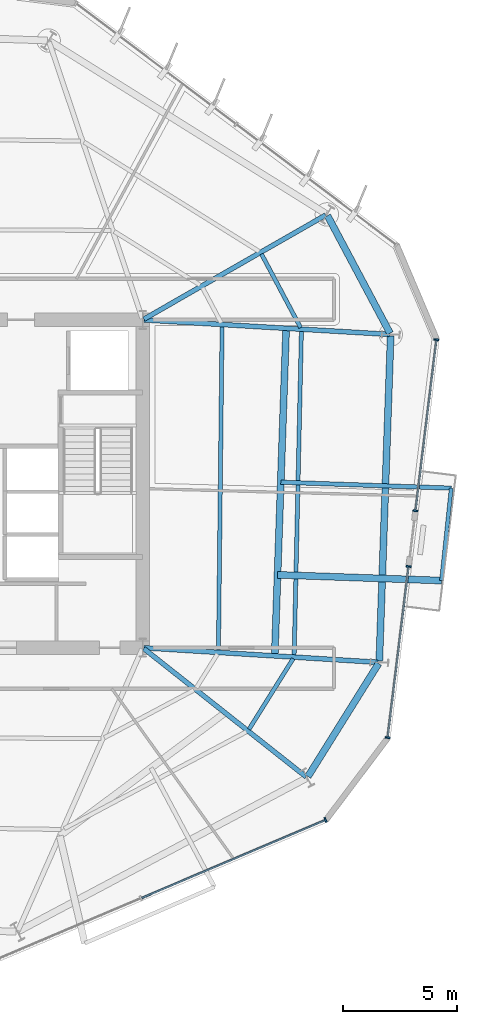
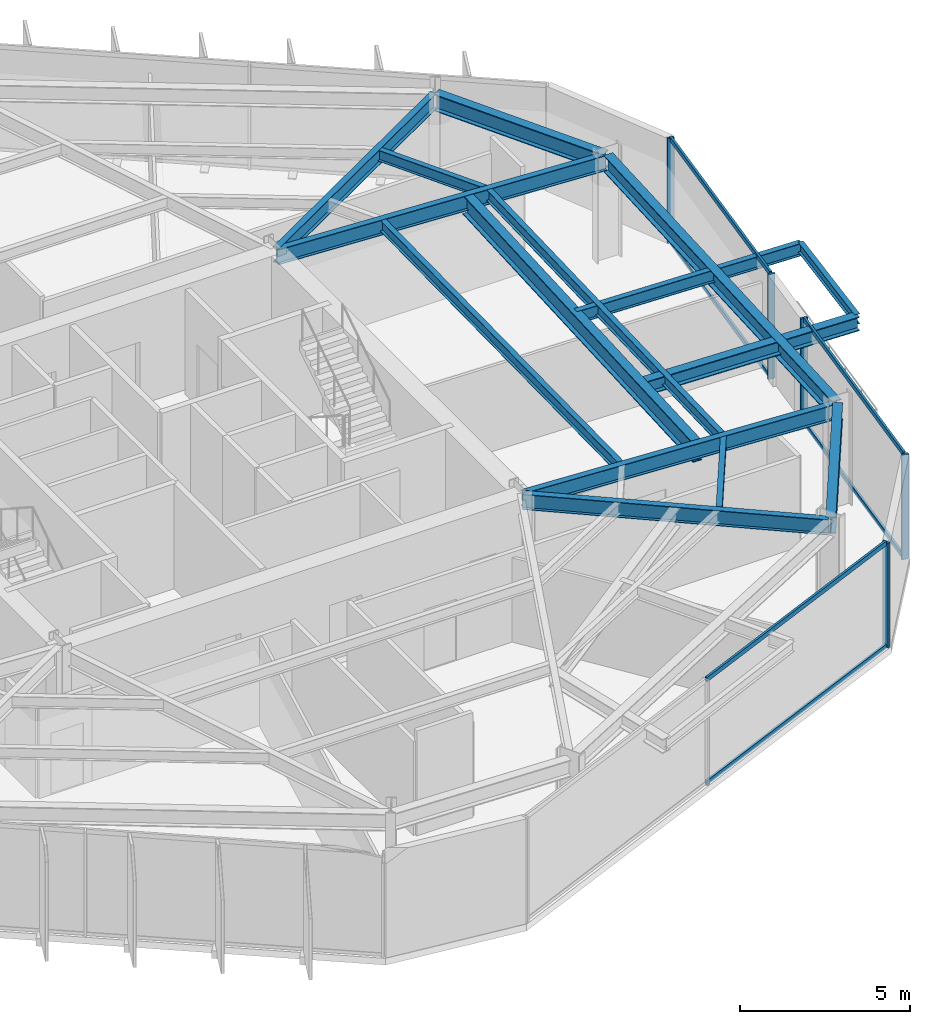
# One storey, part 4 of 11: 15 beams, 11 members, 3 elements without a shape of their own.
"""IFC4 building model written with IfcOpenShell, lengths in metres."""

from ifc_helpers import new_model, si_unit, direction, frame, origin, origin_2d, place, context, subcontext, project, spatial, rectangle, i_section, extrude, material, layer, layer_set, material_profile, profile_set, type_object, element, aggregate, save


model = new_model("IFC4")

# Units and contexts
model_context = context("Model", 3, precision=1e-05, world=origin(), true_north=direction((0.0, 1.0)))
body_context = subcontext(model_context, "Body", "Model", "MODEL_VIEW")
ifc_project = project(units=[si_unit("LENGTHUNIT", "METRE"), si_unit("AREAUNIT", "SQUARE_METRE"), si_unit("VOLUMEUNIT", "CUBIC_METRE"), si_unit("PLANEANGLEUNIT", "RADIAN"), si_unit("MASSUNIT", "GRAM", prefix="KILO")], contexts=[model_context])

# Site, building, storey
site_placement = place(None, origin())
site = spatial("IfcSite", under=ifc_project, at=site_placement, CompositionType="ELEMENT")
building_placement = place(site_placement, origin())
building = spatial("IfcBuilding", under=site, at=building_placement, Name="Kranzbogen Civic Tower", CompositionType="ELEMENT")
storey_placement = place(building_placement, frame((0.0, 0.0, 114.39990234375)))
storey = spatial("IfcBuildingStorey", under=building, at=storey_placement, Name="L27", CompositionType="ELEMENT", Elevation=114.39990234375)

# Beam
ifc_material_1 = material(Name="Steel S355", Category="steel")
ifc_material_profile_1 = material_profile(ifc_material_1, i_section(OverallWidth=0.18994140625, OverallDepth=0.449951171875, WebThickness=0.009521484375, FlangeThickness=0.0146484375, at=origin_2d()), Name="IPE 450")
ifc_profile_set_1 = profile_set([ifc_material_profile_1], Name="Steel S355")
beam_type_1 = type_object("IfcBeamType", Name="Braced Terrace Edge Beam IPE 450", PredefinedType="BEAM", material=ifc_profile_set_1)
beam_1_placement = place(storey_placement, frame((38.862060546875, 25.069091796875, 3.525146484375), z_axis=(0.999386956316, -0.035010163451, 0.0), x_axis=(0.035010163451, 0.999386956316, 0.0)))
element("IfcBeam", 1, at=beam_1_placement, inside=storey, type_object=beam_type_1, Name="L28 back-spanned terrace beam L28-TB1-2", PredefinedType="BEAM", context=body_context, shape_type="SweptSolid", body=[
    extrude(i_section(OverallWidth=0.18994140625, OverallDepth=0.449951171875, WebThickness=0.009521484375, FlangeThickness=0.0146484375, at=origin_2d()), origin(), (0.0, 0.0, 1.0), 7.489501953125),
])

# Curtain wall, member
ifc_material_2 = material(Name="Pale Anodised Aluminium", Category="aluminium")
ifc_layer = layer(ifc_material_2, 0.219970703125, Name="Pale Anodised Aluminium")
ifc_layer_set = layer_set([ifc_layer], Name="Pale Anodised Aluminium")
curtain_wall_type = type_object("IfcCurtainWallType", Name="Zone 2 Stick Curtain Wall System CW-03", PredefinedType="USERDEFINED", material=ifc_layer_set)
curtain_wall_1_placement = place(storey_placement, origin())
curtain_wall_1 = element("IfcCurtainWall", 2, at=curtain_wall_1_placement, inside=storey, type_object=curtain_wall_type, Name="L27 curtain wall CW-L27-F5", ObjectType="STICK CURTAIN WALL", PredefinedType="USERDEFINED")
ifc_material_profile_2 = material_profile(ifc_material_2, rectangle(XDim=0.074951171875, YDim=0.219970703125, at=origin_2d()), Name="ALU-M 75x220")
ifc_profile_set_2 = profile_set([ifc_material_profile_2], Name="Pale Anodised Aluminium")
member_type_1 = type_object("IfcMemberType", Name="Curtain Wall Mullion ALU-M 75x220", PredefinedType="MULLION", material=ifc_profile_set_2)
member_1_placement = place(storey_placement, frame((40.829345703125, 10.2392578125, 0.0), z_axis=(0.0, 0.0, 1.0), x_axis=(0.92050961582, 0.390719908864, 0.0)))
member_1 = element("IfcMember", 3, at=member_1_placement, type_object=member_type_1, Name="CW-03 mullion 3", PredefinedType="MULLION", context=body_context, shape_type="SweptSolid", body=[
    extrude(rectangle(XDim=0.074951171875, YDim=0.219970703125, at=origin_2d()), origin(), (0.0, 0.0, 1.0), 3.760009765625),
])

# Curtain wall, members
curtain_wall_2_placement = place(storey_placement, origin())
curtain_wall_2 = element("IfcCurtainWall", 4, at=curtain_wall_2_placement, inside=storey, type_object=curtain_wall_type, Name="L27 curtain wall CW-L27-F6-S1", ObjectType="STICK CURTAIN WALL", PredefinedType="USERDEFINED")
member_2_placement = place(storey_placement, frame((43.5517578125, 13.851806640625, 0.0), z_axis=(0.0, 0.0, 1.0), x_axis=(0.121809807043, 0.992553459975, 0.0)))
member_2 = element("IfcMember", 5, at=member_2_placement, type_object=member_type_1, Name="CW-03 mullion 1", PredefinedType="MULLION", context=body_context, shape_type="SweptSolid", body=[
    extrude(rectangle(XDim=0.074951171875, YDim=0.219970703125, at=origin_2d()), origin(), (0.0, 0.0, 1.0), 3.760009765625),
])
member_3_placement = place(storey_placement, frame((44.474365234375, 21.3701171875, 0.0), z_axis=(0.0, 0.0, 1.0), x_axis=(0.121809807043, 0.992553459975, 0.0)))
member_3 = element("IfcMember", 6, at=member_3_placement, type_object=member_type_1, Name="CW-03 mullion 2", PredefinedType="MULLION", context=body_context, shape_type="SweptSolid", body=[
    extrude(rectangle(XDim=0.074951171875, YDim=0.219970703125, at=origin_2d()), origin(), (0.0, 0.0, 1.0), 3.760009765625),
])

curtain_wall_3_placement = place(storey_placement, origin())
curtain_wall_3 = element("IfcCurtainWall", 7, at=curtain_wall_3_placement, inside=storey, type_object=curtain_wall_type, Name="L27 curtain wall CW-L27-F6-S2", ObjectType="STICK CURTAIN WALL", PredefinedType="USERDEFINED")
member_4_placement = place(storey_placement, frame((44.774658203125, 23.811767578125, 0.0), z_axis=(0.0, 0.0, 1.0), x_axis=(0.121825644722, 0.992551516188, 0.0)))
member_4 = element("IfcMember", 8, at=member_4_placement, type_object=member_type_1, Name="CW-03 mullion 1", PredefinedType="MULLION", context=body_context, shape_type="SweptSolid", body=[
    extrude(rectangle(XDim=0.074951171875, YDim=0.219970703125, at=origin_2d()), origin(), (0.0, 0.0, 1.0), 3.760009765625),
])
member_5_placement = place(storey_placement, frame((45.697265625, 31.3291015625, 0.0), z_axis=(0.0, 0.0, 1.0), x_axis=(0.121825644722, 0.992551516188, 0.0)))
member_5 = element("IfcMember", 9, at=member_5_placement, type_object=member_type_1, Name="CW-03 mullion 2", PredefinedType="MULLION", context=body_context, shape_type="SweptSolid", body=[
    extrude(rectangle(XDim=0.074951171875, YDim=0.219970703125, at=origin_2d()), origin(), (0.0, 0.0, 1.0), 3.760009765625),
])

# Member
ifc_material_profile_3 = material_profile(ifc_material_2, rectangle(XDim=0.074951171875, YDim=0.1650390625, at=origin_2d()), Name="ALU-T 75x165")
ifc_profile_set_3 = profile_set([ifc_material_profile_3], Name="Pale Anodised Aluminium")
member_type_2 = type_object("IfcMemberType", Name="Curtain Wall Transom ALU-T 75x165", PredefinedType="USERDEFINED", material=ifc_profile_set_3)
member_6_placement = place(storey_placement, frame((32.753173828125, 6.811279296875, 0.030029296875), z_axis=(0.920511494267, 0.39071548334, 0.0), x_axis=(-0.39071548334, 0.920511494267, 0.0)))
member_6 = element("IfcMember", 10, at=member_6_placement, type_object=member_type_2, Name="CW-03 transom 2.1", ObjectType="TRANSOM", PredefinedType="USERDEFINED", context=body_context, shape_type="SweptSolid", body=[
    extrude(rectangle(XDim=0.074951171875, YDim=0.1650390625, at=origin_2d()), origin(), (0.0, 0.0, 1.0), 8.74365234375),
])

member_7_placement = place(storey_placement, frame((32.753173828125, 6.811279296875, 3.72998046875), z_axis=(0.920511494267, 0.39071548334, 0.0), x_axis=(-0.39071548334, 0.920511494267, 0.0)))
member_7 = element("IfcMember", 11, at=member_7_placement, type_object=member_type_2, Name="CW-03 transom 2.2", ObjectType="TRANSOM", PredefinedType="USERDEFINED", context=body_context, shape_type="SweptSolid", body=[
    extrude(rectangle(XDim=0.074951171875, YDim=0.1650390625, at=origin_2d()), origin(), (0.0, 0.0, 1.0), 8.74365234375),
])

aggregate(curtain_wall_1, [member_1, member_6, member_7])

member_8_placement = place(storey_placement, frame((43.555419921875, 13.881591796875, 0.030029296875), z_axis=(0.121799214261, 0.992554759903, 0.0), x_axis=(-0.992554759903, 0.121799214261, 0.0)))
member_8 = element("IfcMember", 12, at=member_8_placement, type_object=member_type_2, Name="CW-03 transom 1.1", ObjectType="TRANSOM", PredefinedType="USERDEFINED", context=body_context, shape_type="SweptSolid", body=[
    extrude(rectangle(XDim=0.074951171875, YDim=0.1650390625, at=origin_2d()), origin(), (0.0, 0.0, 1.0), 7.5146484375),
])

member_9_placement = place(storey_placement, frame((43.555419921875, 13.881591796875, 3.72998046875), z_axis=(0.121799214261, 0.992554759903, 0.0), x_axis=(-0.992554759903, 0.121799214261, 0.0)))
member_9 = element("IfcMember", 13, at=member_9_placement, type_object=member_type_2, Name="CW-03 transom 1.2", ObjectType="TRANSOM", PredefinedType="USERDEFINED", context=body_context, shape_type="SweptSolid", body=[
    extrude(rectangle(XDim=0.074951171875, YDim=0.1650390625, at=origin_2d()), origin(), (0.0, 0.0, 1.0), 7.5146484375),
])

aggregate(curtain_wall_2, [member_2, member_3, member_8, member_9])

member_10_placement = place(storey_placement, frame((44.7783203125, 23.841552734375, 0.030029296875), z_axis=(0.121810998213, 0.992553313789, 0.0), x_axis=(-0.992553313789, 0.121810998213, 0.0)))
member_10 = element("IfcMember", 14, at=member_10_placement, type_object=member_type_2, Name="CW-03 transom 1.1", ObjectType="TRANSOM", PredefinedType="USERDEFINED", context=body_context, shape_type="SweptSolid", body=[
    extrude(rectangle(XDim=0.074951171875, YDim=0.1650390625, at=origin_2d()), origin(), (0.0, 0.0, 1.0), 7.513916015625),
])

member_11_placement = place(storey_placement, frame((44.7783203125, 23.841552734375, 3.72998046875), z_axis=(0.121810998213, 0.992553313789, 0.0), x_axis=(-0.992553313789, 0.121810998213, 0.0)))
member_11 = element("IfcMember", 15, at=member_11_placement, type_object=member_type_2, Name="CW-03 transom 1.2", ObjectType="TRANSOM", PredefinedType="USERDEFINED", context=body_context, shape_type="SweptSolid", body=[
    extrude(rectangle(XDim=0.074951171875, YDim=0.1650390625, at=origin_2d()), origin(), (0.0, 0.0, 1.0), 7.513916015625),
])

aggregate(curtain_wall_3, [member_4, member_5, member_10, member_11])

# Beams
ifc_material_profile_4 = material_profile(ifc_material_1, i_section(OverallWidth=0.300048828125, OverallDepth=0.5, WebThickness=0.014404296875, FlangeThickness=0.028076171875, at=origin_2d()), Name="HEB 500")
ifc_profile_set_4 = profile_set([ifc_material_profile_4], Name="Steel S355")
beam_type_2 = type_object("IfcBeamType", Name="Perimeter Tube Spandrel Beam HEB 500", PredefinedType="SPANDREL", material=ifc_profile_set_4)
beam_2_placement = place(storey_placement, frame((38.719970703125, 21.0009765625, 3.5), z_axis=(0.999388281297, -0.034972320582, 0.0), x_axis=(0.034972320582, 0.999388281297, 0.0)))
element("IfcBeam", 16, at=beam_2_placement, inside=storey, type_object=beam_type_2, Name="L28 back-spanned terrace beam L28-TB1-1", PredefinedType="SPANDREL", context=body_context, shape_type="SweptSolid", body=[
    extrude(i_section(OverallWidth=0.300048828125, OverallDepth=0.5, WebThickness=0.014404296875, FlangeThickness=0.028076171875, at=origin_2d()), origin(), (0.0, 0.0, 1.0), 7.204345703125),
])
ifc_material_profile_5 = material_profile(ifc_material_1, i_section(OverallWidth=0.300048828125, OverallDepth=0.60009765625, WebThickness=0.015380859375, FlangeThickness=0.030029296875, at=origin_2d()), Name="HEB 600")
ifc_profile_set_5 = profile_set([ifc_material_profile_5], Name="Steel S355")
beam_type_3 = type_object("IfcBeamType", Name="Perimeter Tube Spandrel Beam HEB 600", PredefinedType="SPANDREL", material=ifc_profile_set_5)
beam_3_placement = place(storey_placement, frame((40.054931640625, 12.14306640625, 3.460205078125), z_axis=(0.529863902903, 0.848082687242, 0.0), x_axis=(-0.848082687242, 0.529863902903, 0.0)))
element("IfcBeam", 17, at=beam_3_placement, inside=storey, type_object=beam_type_3, Name="L27 perimeter spandrel beam 05", PredefinedType="SPANDREL", context=body_context, shape_type="SweptSolid", body=[
    extrude(i_section(OverallWidth=0.300048828125, OverallDepth=0.60009765625, WebThickness=0.015380859375, FlangeThickness=0.030029296875, at=origin_2d()), origin(), (0.0, 0.0, 1.0), 5.850830078125),
])
beam_4_placement = place(storey_placement, frame((43.18896484375, 17.216064453125, 3.460205078125), z_axis=(0.034924229103, 0.999389963038, 0.0), x_axis=(-0.999389963038, 0.034924229103, 0.0)))
element("IfcBeam", 18, at=beam_4_placement, inside=storey, type_object=beam_type_3, Name="L27 perimeter spandrel beam 06", PredefinedType="SPANDREL", context=body_context, shape_type="SweptSolid", body=[
    extrude(i_section(OverallWidth=0.300048828125, OverallDepth=0.60009765625, WebThickness=0.015380859375, FlangeThickness=0.030029296875, at=origin_2d()), origin(), (0.0, 0.0, 1.0), 14.288818359375),
])
beam_5_placement = place(storey_placement, frame((43.662109375, 31.60888671875, 3.460205078125), z_axis=(-0.469565926668, 0.882897412224, 0.0), x_axis=(-0.882897412224, -0.469565926668, 0.0)))
element("IfcBeam", 19, at=beam_5_placement, inside=storey, type_object=beam_type_3, Name="L27 perimeter spandrel beam 07", PredefinedType="SPANDREL", context=body_context, shape_type="SweptSolid", body=[
    extrude(i_section(OverallWidth=0.300048828125, OverallDepth=0.60009765625, WebThickness=0.015380859375, FlangeThickness=0.030029296875, at=origin_2d()), origin(), (0.0, 0.0, 1.0), 5.852294921875),
])
ifc_material_profile_6 = material_profile(ifc_material_1, i_section(OverallWidth=0.300048828125, OverallDepth=0.699951171875, WebThickness=0.01708984375, FlangeThickness=0.031982421875, at=origin_2d()), Name="HEB 700")
ifc_profile_set_6 = profile_set([ifc_material_profile_6], Name="Steel S355")
beam_type_4 = type_object("IfcBeamType", Name="Perimeter Tube Spandrel Beam HEB 700", PredefinedType="SPANDREL", material=ifc_profile_set_6)
beam_6_placement = place(storey_placement, frame((38.595947265625, 17.44091796875, 3.400146484375), z_axis=(0.034868227602, 0.99939191847, 0.0), x_axis=(-0.99939191847, 0.034868227602, 0.0)))
element("IfcBeam", 20, at=beam_6_placement, inside=storey, type_object=beam_type_4, Name="L28 balcony back-span header girder L28-TB1", PredefinedType="SPANDREL", context=body_context, shape_type="SweptSolid", body=[
    extrude(i_section(OverallWidth=0.300048828125, OverallDepth=0.699951171875, WebThickness=0.01708984375, FlangeThickness=0.031982421875, at=origin_2d()), origin(), (0.0, 0.0, 1.0), 14.395751953125),
])
ifc_material_profile_7 = material_profile(ifc_material_1, i_section(OverallWidth=0.2099609375, OverallDepth=0.550048828125, WebThickness=0.010986328125, FlangeThickness=0.01708984375, at=origin_2d()), Name="IPE 550")
ifc_profile_set_7 = profile_set([ifc_material_profile_7], Name="Steel S355")
beam_type_5 = type_object("IfcBeamType", Name="Radial Tower Floor Girder IPE 550", PredefinedType="BEAM", material=ifc_profile_set_7)
beam_7_placement = place(storey_placement, frame((39.97607421875, 12.12890625, 3.485107421875), z_axis=(-0.78457455683, 0.620034486763, 0.0), x_axis=(-0.620034486763, -0.78457455683, 0.0)))
element("IfcBeam", 21, at=beam_7_placement, inside=storey, type_object=beam_type_5, Name="L27 radial floor girder 05", PredefinedType="BEAM", context=body_context, shape_type="SweptSolid", body=[
    extrude(i_section(OverallWidth=0.2099609375, OverallDepth=0.550048828125, WebThickness=0.010986328125, FlangeThickness=0.01708984375, at=origin_2d()), origin(), (0.0, 0.0, 1.0), 9.086669921875),
])
beam_8_placement = place(storey_placement, frame((43.126953125, 17.159912109375, 3.485107421875), z_axis=(-0.998086872961, 0.061827130147, 0.0), x_axis=(-0.061827130147, -0.998086872961, 0.0)))
element("IfcBeam", 22, at=beam_8_placement, inside=storey, type_object=beam_type_5, Name="L27 radial floor girder 06", PredefinedType="BEAM", context=body_context, shape_type="SweptSolid", body=[
    extrude(i_section(OverallWidth=0.2099609375, OverallDepth=0.550048828125, WebThickness=0.010986328125, FlangeThickness=0.01708984375, at=origin_2d()), origin(), (0.0, 0.0, 1.0), 10.28662109375),
])
beam_9_placement = place(storey_placement, frame((43.6298828125, 31.56005859375, 3.485107421875), z_axis=(-0.998260925387, 0.058950189528, 0.0), x_axis=(-0.058950189528, -0.998260925387, 0.0)))
element("IfcBeam", 23, at=beam_9_placement, inside=storey, type_object=beam_type_5, Name="L27 radial floor girder 07", PredefinedType="BEAM", context=body_context, shape_type="SweptSolid", body=[
    extrude(i_section(OverallWidth=0.2099609375, OverallDepth=0.550048828125, WebThickness=0.010986328125, FlangeThickness=0.01708984375, at=origin_2d()), origin(), (0.0, 0.0, 1.0), 10.78857421875),
])
beam_10_placement = place(storey_placement, frame((40.833984375, 36.799072265625, 3.485107421875), z_axis=(-0.867868812182, -0.496793442833, 0.0), x_axis=(0.496793442833, -0.867868812182, 0.0)))
element("IfcBeam", 24, at=beam_10_placement, inside=storey, type_object=beam_type_5, Name="L27 radial floor girder 08", PredefinedType="BEAM", context=body_context, shape_type="SweptSolid", body=[
    extrude(i_section(OverallWidth=0.2099609375, OverallDepth=0.550048828125, WebThickness=0.010986328125, FlangeThickness=0.01708984375, at=origin_2d()), origin(), (0.0, 0.0, 1.0), 9.197265625),
])
ifc_material_profile_8 = material_profile(ifc_material_1, i_section(OverallWidth=0.169921875, OverallDepth=0.360107421875, WebThickness=0.008056640625, FlangeThickness=0.0126953125, at=origin_2d()), Name="IPE 360")
ifc_profile_set_8 = profile_set([ifc_material_profile_8], Name="Steel S355")
beam_type_6 = type_object("IfcBeamType", Name="Secondary Composite Floor Joist IPE 360", PredefinedType="JOIST", material=ifc_profile_set_8)
beam_11_placement = place(storey_placement, frame((45.919921875, 20.7490234375, 3.570068359375), z_axis=(0.104650523063, 0.994509058794, 0.0), x_axis=(-0.994509058794, 0.104650523063, 0.0)))
element("IfcBeam", 25, at=beam_11_placement, inside=storey, type_object=beam_type_6, Name="L28 terrace outer edge trimmer L28-TB1", PredefinedType="JOIST", context=body_context, shape_type="SweptSolid", body=[
    extrude(i_section(OverallWidth=0.169921875, OverallDepth=0.360107421875, WebThickness=0.008056640625, FlangeThickness=0.0126953125, at=origin_2d()), origin(), (0.0, 0.0, 1.0), 4.080322265625),
])
ifc_material_profile_9 = material_profile(ifc_material_1, i_section(OverallWidth=0.179931640625, OverallDepth=0.39990234375, WebThickness=0.008544921875, FlangeThickness=0.013427734375, at=origin_2d()), Name="IPE 400")
ifc_profile_set_9 = profile_set([ifc_material_profile_9], Name="Steel S355")
beam_type_7 = type_object("IfcBeamType", Name="Secondary Composite Floor Joist IPE 400", PredefinedType="JOIST", material=ifc_profile_set_9)
beam_12_placement = place(storey_placement, frame((37.465087890625, 14.215087890625, 3.56005859375), z_axis=(0.529867065107, 0.848080711557, 0.0), x_axis=(-0.848080711557, 0.529867065107, 0.0)))
element("IfcBeam", 26, at=beam_12_placement, inside=storey, type_object=beam_type_7, Name="L27 secondary floor joist 1.05", PredefinedType="JOIST", context=body_context, shape_type="SweptSolid", body=[
    extrude(i_section(OverallWidth=0.179931640625, OverallDepth=0.39990234375, WebThickness=0.008544921875, FlangeThickness=0.013427734375, at=origin_2d()), origin(), (0.0, 0.0, 1.0), 3.6611328125),
])
beam_13_placement = place(storey_placement, frame((39.448974609375, 17.468017578125, 3.56005859375), z_axis=(0.022402523442, 0.999749031979, 0.0), x_axis=(-0.999749031979, 0.022402523442, 0.0)))
element("IfcBeam", 27, at=beam_13_placement, inside=storey, type_object=beam_type_7, Name="L27 secondary floor joist 1.06", PredefinedType="JOIST", context=body_context, shape_type="SweptSolid", body=[
    extrude(i_section(OverallWidth=0.179931640625, OverallDepth=0.39990234375, WebThickness=0.008544921875, FlangeThickness=0.013427734375, at=origin_2d()), origin(), (0.0, 0.0, 1.0), 14.24365234375),
])
beam_14_placement = place(storey_placement, frame((36.125, 17.674072265625, 3.56005859375), z_axis=(0.011160516663, 0.999937719494, 0.0), x_axis=(-0.999937719494, 0.011160516663, 0.0)))
element("IfcBeam", 28, at=beam_14_placement, inside=storey, type_object=beam_type_7, Name="L27 secondary floor joist 2.06", PredefinedType="JOIST", context=body_context, shape_type="SweptSolid", body=[
    extrude(i_section(OverallWidth=0.179931640625, OverallDepth=0.39990234375, WebThickness=0.008544921875, FlangeThickness=0.013427734375, at=origin_2d()), origin(), (0.0, 0.0, 1.0), 14.240966796875),
])
beam_15_placement = place(storey_placement, frame((39.73193359375, 31.85791015625, 3.56005859375), z_axis=(-0.469338791783, 0.88301817565, 0.0), x_axis=(-0.88301817565, -0.469338791783, 0.0)))
element("IfcBeam", 29, at=beam_15_placement, inside=storey, type_object=beam_type_7, Name="L27 secondary floor joist 1.07", PredefinedType="JOIST", context=body_context, shape_type="SweptSolid", body=[
    extrude(i_section(OverallWidth=0.179931640625, OverallDepth=0.39990234375, WebThickness=0.008544921875, FlangeThickness=0.013427734375, at=origin_2d()), origin(), (0.0, 0.0, 1.0), 3.66259765625),
])

save(model, "model.ifc")
